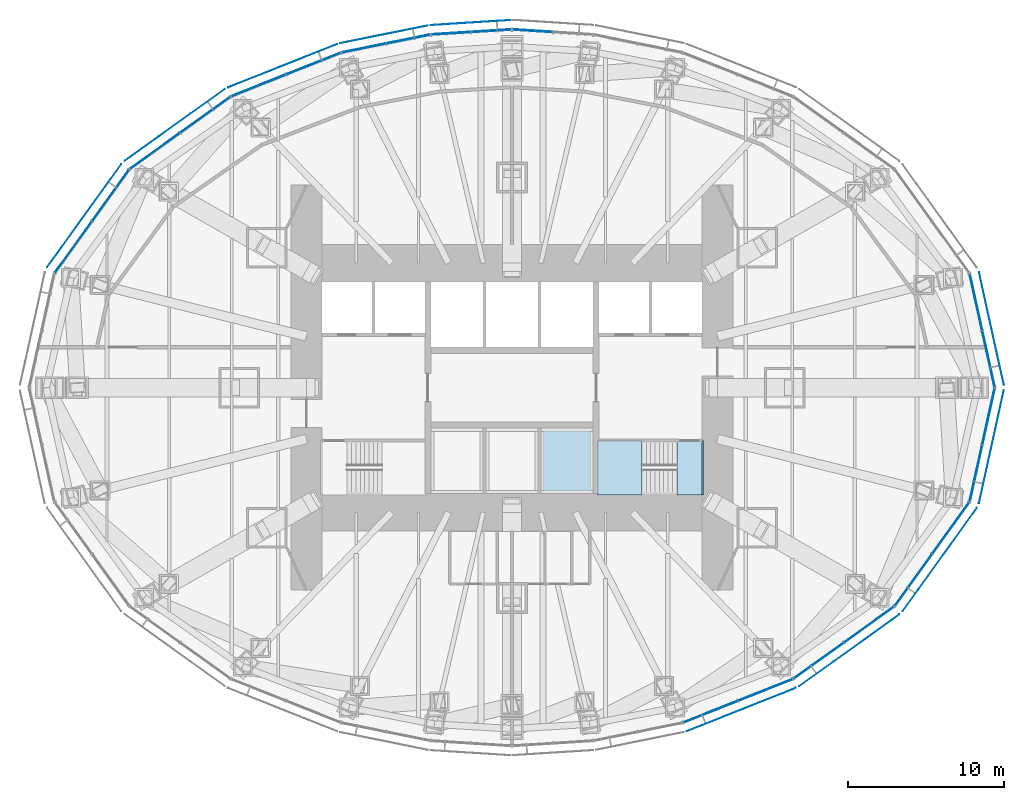
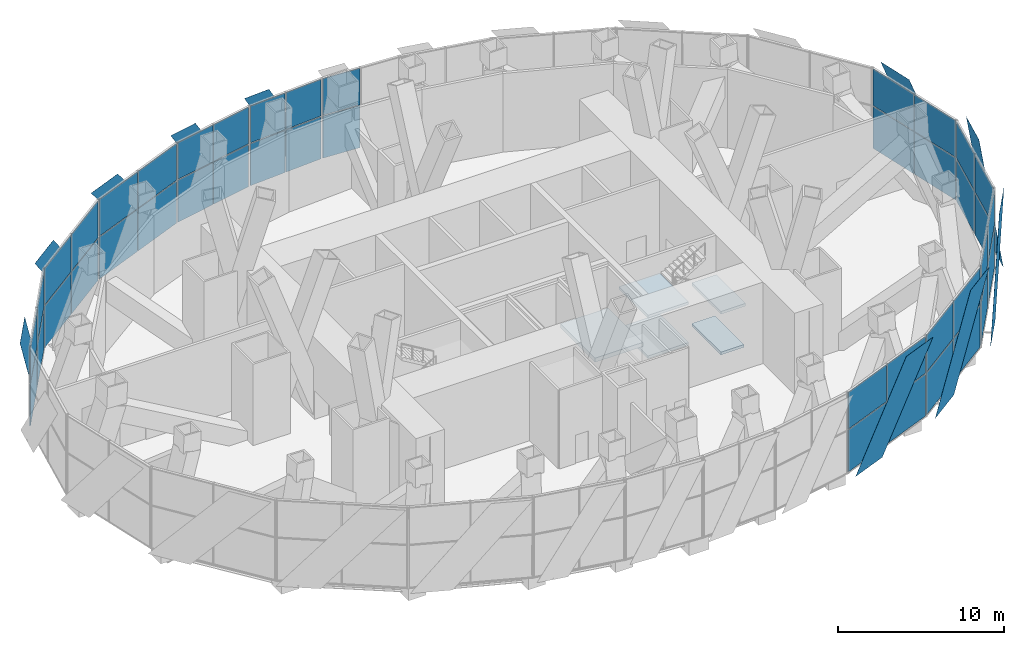
# One storey, part 13 of 21: 52 plates, 5 slabs, 12 elements without a shape of their own.
"""IFC4 building model written with IfcOpenShell, lengths in metres."""

from ifc_helpers import new_model, si_unit, direction, frame, origin, origin_2d, place, context, subcontext, project, spatial, polyline, rectangle, outline, extrude, material, layer, layer_set, type_object, element, aggregate, save


model = new_model("IFC4")

# Units and contexts
model_context = context("Model", 3, precision=1e-05, world=origin(), true_north=direction((0.0, 1.0)))
body_context = subcontext(model_context, "Body", "Model", "MODEL_VIEW")
ifc_project = project(units=[si_unit("LENGTHUNIT", "METRE"), si_unit("AREAUNIT", "SQUARE_METRE"), si_unit("VOLUMEUNIT", "CUBIC_METRE"), si_unit("PLANEANGLEUNIT", "RADIAN"), si_unit("MASSUNIT", "GRAM", prefix="KILO")], contexts=[model_context])

# Site, building, storey
site_placement = place(None, origin())
site = spatial("IfcSite", under=ifc_project, at=site_placement, CompositionType="ELEMENT")
building_placement = place(site_placement, origin())
building = spatial("IfcBuilding", under=site, at=building_placement, Name="Lantaw Convention Tower", CompositionType="ELEMENT")
storey_placement = place(building_placement, frame((0.0, 0.0, 105.39990234375)))
storey = spatial("IfcBuildingStorey", under=building, at=storey_placement, Name="L25", CompositionType="ELEMENT", Elevation=105.39990234375)

# Curtain wall, plates
ifc_material_1 = material(Name="Aluminium framed curtain wall", Category="aluminium")
curtain_wall_type = type_object("IfcCurtainWallType", Name="Plant floor louvre wall, pale aluminium", PredefinedType="USERDEFINED", material=ifc_material_1)
curtain_wall_1_placement = place(storey_placement, origin())
curtain_wall_1 = element("IfcCurtainWall", 1, at=curtain_wall_1_placement, inside=storey, type_object=curtain_wall_type, Name="Plant floor louvre wall, pale aluminium L25", ObjectType="LOUVRE WALL", PredefinedType="USERDEFINED")
ifc_material_2 = material(Name="Aluminium louvre blades", Category="aluminium")
ifc_layer_1 = layer(ifc_material_2, 0.050048828125)
ifc_layer_set_1 = layer_set([ifc_layer_1], Name="CW-LV panel 50")
plate_type_1 = type_object("IfcPlateType", Name="CW-LV panel 50", PredefinedType="CURTAIN_PANEL", material=ifc_layer_set_1)
plate_1_placement = place(storey_placement, frame((30.592529296875, 1.8486328125, -0.1298828125), z_axis=(0.0, 0.0, 1.0), x_axis=(-0.215246056391, 0.976559847223, 0.0)))
plate_1 = element("IfcPlate", 2, at=plate_1_placement, type_object=plate_type_1, Name="CW-LV panel 1.1", PredefinedType="CURTAIN_PANEL", context=body_context, shape_type="SweptSolid", body=[
    extrude(rectangle(XDim=3.646240234375, YDim=0.050048828125, at=origin_2d()), origin(), (0.0, 0.0, 1.0), 3.094970703125),
])
plate_2_placement = place(storey_placement, frame((30.592529296875, 1.8486328125, 3.03515625), z_axis=(0.0, 0.0, 1.0), x_axis=(-0.215246056391, 0.976559847223, 0.0)))
plate_2 = element("IfcPlate", 3, at=plate_2_placement, type_object=plate_type_1, Name="CW-LV panel 1.2", PredefinedType="CURTAIN_PANEL", context=body_context, shape_type="SweptSolid", body=[
    extrude(rectangle(XDim=3.646240234375, YDim=0.050048828125, at=origin_2d()), origin(), (0.0, 0.0, 1.0), 2.695068359375),
])
plate_3_placement = place(storey_placement, frame((29.792724609375, 5.477783203125, -0.1298828125), z_axis=(0.0, 0.0, 1.0), x_axis=(-0.215246056391, 0.976559847223, 0.0)))
plate_3 = element("IfcPlate", 4, at=plate_3_placement, type_object=plate_type_1, Name="CW-LV panel 2.1", PredefinedType="CURTAIN_PANEL", context=body_context, shape_type="SweptSolid", body=[
    extrude(rectangle(XDim=3.646240234375, YDim=0.050048828125, at=origin_2d()), origin(), (0.0, 0.0, 1.0), 3.094970703125),
])
plate_4_placement = place(storey_placement, frame((29.792724609375, 5.477783203125, 3.03515625), z_axis=(0.0, 0.0, 1.0), x_axis=(-0.215246056391, 0.976559847223, 0.0)))
plate_4 = element("IfcPlate", 5, at=plate_4_placement, type_object=plate_type_1, Name="CW-LV panel 2.2", PredefinedType="CURTAIN_PANEL", context=body_context, shape_type="SweptSolid", body=[
    extrude(rectangle(XDim=3.646240234375, YDim=0.050048828125, at=origin_2d()), origin(), (0.0, 0.0, 1.0), 2.695068359375),
])
aggregate(curtain_wall_1, [plate_1, plate_2, plate_3, plate_4])

curtain_wall_2_placement = place(storey_placement, origin())
curtain_wall_2 = element("IfcCurtainWall", 6, at=curtain_wall_2_placement, inside=storey, type_object=curtain_wall_type, Name="Plant floor louvre wall, pale aluminium L25", ObjectType="LOUVRE WALL", PredefinedType="USERDEFINED")
plate_5_placement = place(storey_placement, frame((1.325927734375, 22.916259765625, -0.1298828125), z_axis=(0.0, 0.0, 1.0), x_axis=(-0.998016153807, 0.062958373078, 0.0)))
plate_5 = element("IfcPlate", 7, at=plate_5_placement, type_object=plate_type_1, Name="CW-LV panel 2.1", PredefinedType="CURTAIN_PANEL", context=body_context, shape_type="SweptSolid", body=[
    extrude(rectangle(XDim=2.51708984375, YDim=0.050048828125, at=origin_2d()), origin(), (0.0, 0.0, 1.0), 3.094970703125),
])
plate_6_placement = place(storey_placement, frame((1.325927734375, 22.916259765625, 3.03515625), z_axis=(0.0, 0.0, 1.0), x_axis=(-0.998016153807, 0.062958373078, 0.0)))
plate_6 = element("IfcPlate", 8, at=plate_6_placement, type_object=plate_type_1, Name="CW-LV panel 2.2", PredefinedType="CURTAIN_PANEL", context=body_context, shape_type="SweptSolid", body=[
    extrude(rectangle(XDim=2.51708984375, YDim=0.050048828125, at=origin_2d()), origin(), (0.0, 0.0, 1.0), 2.695068359375),
])
aggregate(curtain_wall_2, [plate_5, plate_6])

curtain_wall_3_placement = place(storey_placement, origin())
curtain_wall_3 = element("IfcCurtainWall", 9, at=curtain_wall_3_placement, inside=storey, type_object=curtain_wall_type, Name="Plant floor louvre wall, pale aluminium L25", ObjectType="LOUVRE WALL", PredefinedType="USERDEFINED")
plate_7_placement = place(storey_placement, frame((-1.325927734375, 22.916259765625, -0.1298828125), z_axis=(0.0, 0.0, 1.0), x_axis=(-0.998016153807, -0.062958373078, 0.0)))
plate_7 = element("IfcPlate", 10, at=plate_7_placement, type_object=plate_type_1, Name="CW-LV panel 1.1", PredefinedType="CURTAIN_PANEL", context=body_context, shape_type="SweptSolid", body=[
    extrude(rectangle(XDim=2.51708984375, YDim=0.050048828125, at=origin_2d()), origin(), (0.0, 0.0, 1.0), 3.094970703125),
])
plate_8_placement = place(storey_placement, frame((-1.325927734375, 22.916259765625, 3.03515625), z_axis=(0.0, 0.0, 1.0), x_axis=(-0.998016153807, -0.062958373078, 0.0)))
plate_8 = element("IfcPlate", 11, at=plate_8_placement, type_object=plate_type_1, Name="CW-LV panel 1.2", PredefinedType="CURTAIN_PANEL", context=body_context, shape_type="SweptSolid", body=[
    extrude(rectangle(XDim=2.51708984375, YDim=0.050048828125, at=origin_2d()), origin(), (0.0, 0.0, 1.0), 2.695068359375),
])
plate_9_placement = place(storey_placement, frame((-3.907958984375, 22.75341796875, -0.1298828125), z_axis=(0.0, 0.0, 1.0), x_axis=(-0.998016153807, -0.062958373078, 0.0)))
plate_9 = element("IfcPlate", 12, at=plate_9_placement, type_object=plate_type_1, Name="CW-LV panel 2.1", PredefinedType="CURTAIN_PANEL", context=body_context, shape_type="SweptSolid", body=[
    extrude(rectangle(XDim=2.51708984375, YDim=0.050048828125, at=origin_2d()), origin(), (0.0, 0.0, 1.0), 3.094970703125),
])
plate_10_placement = place(storey_placement, frame((-3.907958984375, 22.75341796875, 3.03515625), z_axis=(0.0, 0.0, 1.0), x_axis=(-0.998016153807, -0.062958373078, 0.0)))
plate_10 = element("IfcPlate", 13, at=plate_10_placement, type_object=plate_type_1, Name="CW-LV panel 2.2", PredefinedType="CURTAIN_PANEL", context=body_context, shape_type="SweptSolid", body=[
    extrude(rectangle(XDim=2.51708984375, YDim=0.050048828125, at=origin_2d()), origin(), (0.0, 0.0, 1.0), 2.695068359375),
])
aggregate(curtain_wall_3, [plate_7, plate_8, plate_9, plate_10])

curtain_wall_4_placement = place(storey_placement, origin())
curtain_wall_4 = element("IfcCurtainWall", 14, at=curtain_wall_4_placement, inside=storey, type_object=curtain_wall_type, Name="Plant floor louvre wall, pale aluminium L25", ObjectType="LOUVRE WALL", PredefinedType="USERDEFINED")
plate_11_placement = place(storey_placement, frame((-6.682861328125, 22.37744140625, -0.1298828125), z_axis=(0.0, 0.0, 1.0), x_axis=(-0.980244604501, -0.197789067813, 0.0)))
plate_11 = element("IfcPlate", 15, at=plate_11_placement, type_object=plate_type_1, Name="CW-LV panel 1.1", PredefinedType="CURTAIN_PANEL", context=body_context, shape_type="SweptSolid", body=[
    extrude(rectangle(XDim=2.81689453125, YDim=0.050048828125, at=origin_2d()), origin(), (0.0, 0.0, 1.0), 3.094970703125),
])
plate_12_placement = place(storey_placement, frame((-6.682861328125, 22.37744140625, 3.03515625), z_axis=(0.0, 0.0, 1.0), x_axis=(-0.980244604501, -0.197789067813, 0.0)))
plate_12 = element("IfcPlate", 16, at=plate_12_placement, type_object=plate_type_1, Name="CW-LV panel 1.2", PredefinedType="CURTAIN_PANEL", context=body_context, shape_type="SweptSolid", body=[
    extrude(rectangle(XDim=2.81689453125, YDim=0.050048828125, at=origin_2d()), origin(), (0.0, 0.0, 1.0), 2.695068359375),
])
plate_13_placement = place(storey_placement, frame((-9.5126953125, 21.806396484375, -0.1298828125), z_axis=(0.0, 0.0, 1.0), x_axis=(-0.980244604501, -0.197789067813, 0.0)))
plate_13 = element("IfcPlate", 17, at=plate_13_placement, type_object=plate_type_1, Name="CW-LV panel 2.1", PredefinedType="CURTAIN_PANEL", context=body_context, shape_type="SweptSolid", body=[
    extrude(rectangle(XDim=2.81689453125, YDim=0.050048828125, at=origin_2d()), origin(), (0.0, 0.0, 1.0), 3.094970703125),
])
plate_14_placement = place(storey_placement, frame((-9.5126953125, 21.806396484375, 3.03515625), z_axis=(0.0, 0.0, 1.0), x_axis=(-0.980244604501, -0.197789067813, 0.0)))
plate_14 = element("IfcPlate", 18, at=plate_14_placement, type_object=plate_type_1, Name="CW-LV panel 2.2", PredefinedType="CURTAIN_PANEL", context=body_context, shape_type="SweptSolid", body=[
    extrude(rectangle(XDim=2.81689453125, YDim=0.050048828125, at=origin_2d()), origin(), (0.0, 0.0, 1.0), 2.695068359375),
])
aggregate(curtain_wall_4, [plate_11, plate_12, plate_13, plate_14])

curtain_wall_5_placement = place(storey_placement, origin())
curtain_wall_5 = element("IfcCurtainWall", 19, at=curtain_wall_5_placement, inside=storey, type_object=curtain_wall_type, Name="Plant floor louvre wall, pale aluminium L25", ObjectType="LOUVRE WALL", PredefinedType="USERDEFINED")
plate_15_placement = place(storey_placement, frame((-12.75146484375, 20.80322265625, -0.1298828125), z_axis=(0.0, 0.0, 1.0), x_axis=(-0.929361152748, -0.369171840425, 0.0)))
plate_15 = element("IfcPlate", 20, at=plate_15_placement, type_object=plate_type_1, Name="CW-LV panel 1.1", PredefinedType="CURTAIN_PANEL", context=body_context, shape_type="SweptSolid", body=[
    extrude(rectangle(XDim=3.711181640625, YDim=0.050048828125, at=origin_2d()), origin(), (0.0, 0.0, 1.0), 3.094970703125),
])
plate_16_placement = place(storey_placement, frame((-12.75146484375, 20.80322265625, 3.03515625), z_axis=(0.0, 0.0, 1.0), x_axis=(-0.929361152748, -0.369171840425, 0.0)))
plate_16 = element("IfcPlate", 21, at=plate_16_placement, type_object=plate_type_1, Name="CW-LV panel 1.2", PredefinedType="CURTAIN_PANEL", context=body_context, shape_type="SweptSolid", body=[
    extrude(rectangle(XDim=3.711181640625, YDim=0.050048828125, at=origin_2d()), origin(), (0.0, 0.0, 1.0), 2.695068359375),
])
plate_17_placement = place(storey_placement, frame((-16.265380859375, 19.4072265625, -0.1298828125), z_axis=(0.0, 0.0, 1.0), x_axis=(-0.929361152748, -0.369171840425, 0.0)))
plate_17 = element("IfcPlate", 22, at=plate_17_placement, type_object=plate_type_1, Name="CW-LV panel 2.1", PredefinedType="CURTAIN_PANEL", context=body_context, shape_type="SweptSolid", body=[
    extrude(rectangle(XDim=3.711181640625, YDim=0.050048828125, at=origin_2d()), origin(), (0.0, 0.0, 1.0), 3.094970703125),
])
plate_18_placement = place(storey_placement, frame((-16.265380859375, 19.4072265625, 3.03515625), z_axis=(0.0, 0.0, 1.0), x_axis=(-0.929361152748, -0.369171840425, 0.0)))
plate_18 = element("IfcPlate", 23, at=plate_18_placement, type_object=plate_type_1, Name="CW-LV panel 2.2", PredefinedType="CURTAIN_PANEL", context=body_context, shape_type="SweptSolid", body=[
    extrude(rectangle(XDim=3.711181640625, YDim=0.050048828125, at=origin_2d()), origin(), (0.0, 0.0, 1.0), 2.695068359375),
])
aggregate(curtain_wall_5, [plate_15, plate_16, plate_17, plate_18])

curtain_wall_6_placement = place(storey_placement, origin())
curtain_wall_6 = element("IfcCurtainWall", 24, at=curtain_wall_6_placement, inside=storey, type_object=curtain_wall_type, Name="Plant floor louvre wall, pale aluminium L25", ObjectType="LOUVRE WALL", PredefinedType="USERDEFINED")
plate_19_placement = place(storey_placement, frame((-19.695556640625, 17.520751953125, -0.1298828125), z_axis=(0.0, 0.0, 1.0), x_axis=(-0.812803733199, -0.5825376308, 0.0)))
plate_19 = element("IfcPlate", 25, at=plate_19_placement, type_object=plate_type_1, Name="CW-LV panel 1.1", PredefinedType="CURTAIN_PANEL", context=body_context, shape_type="SweptSolid", body=[
    extrude(rectangle(XDim=3.896484375, YDim=0.050048828125, at=origin_2d()), origin(), (0.0, 0.0, 1.0), 3.094970703125),
])
plate_20_placement = place(storey_placement, frame((-19.695556640625, 17.520751953125, 3.03515625), z_axis=(0.0, 0.0, 1.0), x_axis=(-0.812803733199, -0.5825376308, 0.0)))
plate_20 = element("IfcPlate", 26, at=plate_20_placement, type_object=plate_type_1, Name="CW-LV panel 1.2", PredefinedType="CURTAIN_PANEL", context=body_context, shape_type="SweptSolid", body=[
    extrude(rectangle(XDim=3.896484375, YDim=0.050048828125, at=origin_2d()), origin(), (0.0, 0.0, 1.0), 2.695068359375),
])
plate_21_placement = place(storey_placement, frame((-22.91943359375, 15.2099609375, -0.1298828125), z_axis=(0.0, 0.0, 1.0), x_axis=(-0.812803733199, -0.5825376308, 0.0)))
plate_21 = element("IfcPlate", 27, at=plate_21_placement, type_object=plate_type_1, Name="CW-LV panel 2.1", PredefinedType="CURTAIN_PANEL", context=body_context, shape_type="SweptSolid", body=[
    extrude(rectangle(XDim=3.896484375, YDim=0.050048828125, at=origin_2d()), origin(), (0.0, 0.0, 1.0), 3.094970703125),
])
plate_22_placement = place(storey_placement, frame((-22.91943359375, 15.2099609375, 3.03515625), z_axis=(0.0, 0.0, 1.0), x_axis=(-0.812803733199, -0.5825376308, 0.0)))
plate_22 = element("IfcPlate", 28, at=plate_22_placement, type_object=plate_type_1, Name="CW-LV panel 2.2", PredefinedType="CURTAIN_PANEL", context=body_context, shape_type="SweptSolid", body=[
    extrude(rectangle(XDim=3.896484375, YDim=0.050048828125, at=origin_2d()), origin(), (0.0, 0.0, 1.0), 2.695068359375),
])
aggregate(curtain_wall_6, [plate_19, plate_20, plate_21, plate_22])

curtain_wall_7_placement = place(storey_placement, origin())
curtain_wall_7 = element("IfcCurtainWall", 29, at=curtain_wall_7_placement, inside=storey, type_object=curtain_wall_type, Name="Plant floor louvre wall, pale aluminium L25", ObjectType="LOUVRE WALL", PredefinedType="USERDEFINED")
plate_23_placement = place(storey_placement, frame((-25.776611328125, 12.34326171875, -0.1298828125), z_axis=(0.0, 0.0, 1.0), x_axis=(-0.583951250436, -0.811788726895, 0.0)))
plate_23 = element("IfcPlate", 30, at=plate_23_placement, type_object=plate_type_1, Name="CW-LV panel 1.1", PredefinedType="CURTAIN_PANEL", context=body_context, shape_type="SweptSolid", body=[
    extrude(rectangle(XDim=4.0263671875, YDim=0.050048828125, at=origin_2d()), origin(), (0.0, 0.0, 1.0), 3.094970703125),
])
plate_24_placement = place(storey_placement, frame((-25.776611328125, 12.34326171875, 3.03515625), z_axis=(0.0, 0.0, 1.0), x_axis=(-0.583951250436, -0.811788726895, 0.0)))
plate_24 = element("IfcPlate", 31, at=plate_24_placement, type_object=plate_type_1, Name="CW-LV panel 1.2", PredefinedType="CURTAIN_PANEL", context=body_context, shape_type="SweptSolid", body=[
    extrude(rectangle(XDim=4.0263671875, YDim=0.050048828125, at=origin_2d()), origin(), (0.0, 0.0, 1.0), 2.695068359375),
])
plate_25_placement = place(storey_placement, frame((-28.168701171875, 9.017578125, -0.1298828125), z_axis=(0.0, 0.0, 1.0), x_axis=(-0.583951250436, -0.811788726895, 0.0)))
plate_25 = element("IfcPlate", 32, at=plate_25_placement, type_object=plate_type_1, Name="CW-LV panel 2.1", PredefinedType="CURTAIN_PANEL", context=body_context, shape_type="SweptSolid", body=[
    extrude(rectangle(XDim=4.0263671875, YDim=0.050048828125, at=origin_2d()), origin(), (0.0, 0.0, 1.0), 3.094970703125),
])
plate_26_placement = place(storey_placement, frame((-28.168701171875, 9.017578125, 3.03515625), z_axis=(0.0, 0.0, 1.0), x_axis=(-0.583951250436, -0.811788726895, 0.0)))
plate_26 = element("IfcPlate", 33, at=plate_26_placement, type_object=plate_type_1, Name="CW-LV panel 2.2", PredefinedType="CURTAIN_PANEL", context=body_context, shape_type="SweptSolid", body=[
    extrude(rectangle(XDim=4.0263671875, YDim=0.050048828125, at=origin_2d()), origin(), (0.0, 0.0, 1.0), 2.695068359375),
])
aggregate(curtain_wall_7, [plate_23, plate_24, plate_25, plate_26])

curtain_wall_8_placement = place(storey_placement, origin())
curtain_wall_8 = element("IfcCurtainWall", 34, at=curtain_wall_8_placement, inside=storey, type_object=curtain_wall_type, Name="Plant floor louvre wall, pale aluminium L25", ObjectType="LOUVRE WALL", PredefinedType="USERDEFINED")
plate_27_placement = place(storey_placement, frame((12.75146484375, -20.80322265625, -0.1298828125), z_axis=(0.0, 0.0, 1.0), x_axis=(0.929361152748, 0.369171840425, 0.0)))
plate_27 = element("IfcPlate", 35, at=plate_27_placement, type_object=plate_type_1, Name="CW-LV panel 1.1", PredefinedType="CURTAIN_PANEL", context=body_context, shape_type="SweptSolid", body=[
    extrude(rectangle(XDim=3.711181640625, YDim=0.050048828125, at=origin_2d()), origin(), (0.0, 0.0, 1.0), 3.094970703125),
])
plate_28_placement = place(storey_placement, frame((12.75146484375, -20.80322265625, 3.03515625), z_axis=(0.0, 0.0, 1.0), x_axis=(0.929361152748, 0.369171840425, 0.0)))
plate_28 = element("IfcPlate", 36, at=plate_28_placement, type_object=plate_type_1, Name="CW-LV panel 1.2", PredefinedType="CURTAIN_PANEL", context=body_context, shape_type="SweptSolid", body=[
    extrude(rectangle(XDim=3.711181640625, YDim=0.050048828125, at=origin_2d()), origin(), (0.0, 0.0, 1.0), 2.695068359375),
])
plate_29_placement = place(storey_placement, frame((16.265380859375, -19.4072265625, -0.1298828125), z_axis=(0.0, 0.0, 1.0), x_axis=(0.929361152748, 0.369171840425, 0.0)))
plate_29 = element("IfcPlate", 37, at=plate_29_placement, type_object=plate_type_1, Name="CW-LV panel 2.1", PredefinedType="CURTAIN_PANEL", context=body_context, shape_type="SweptSolid", body=[
    extrude(rectangle(XDim=3.711181640625, YDim=0.050048828125, at=origin_2d()), origin(), (0.0, 0.0, 1.0), 3.094970703125),
])
plate_30_placement = place(storey_placement, frame((16.265380859375, -19.4072265625, 3.03515625), z_axis=(0.0, 0.0, 1.0), x_axis=(0.929361152748, 0.369171840425, 0.0)))
plate_30 = element("IfcPlate", 38, at=plate_30_placement, type_object=plate_type_1, Name="CW-LV panel 2.2", PredefinedType="CURTAIN_PANEL", context=body_context, shape_type="SweptSolid", body=[
    extrude(rectangle(XDim=3.711181640625, YDim=0.050048828125, at=origin_2d()), origin(), (0.0, 0.0, 1.0), 2.695068359375),
])
aggregate(curtain_wall_8, [plate_27, plate_28, plate_29, plate_30])

curtain_wall_9_placement = place(storey_placement, origin())
curtain_wall_9 = element("IfcCurtainWall", 39, at=curtain_wall_9_placement, inside=storey, type_object=curtain_wall_type, Name="Plant floor louvre wall, pale aluminium L25", ObjectType="LOUVRE WALL", PredefinedType="USERDEFINED")
plate_31_placement = place(storey_placement, frame((19.695556640625, -17.520751953125, -0.1298828125), z_axis=(0.0, 0.0, 1.0), x_axis=(0.812803733199, 0.5825376308, 0.0)))
plate_31 = element("IfcPlate", 40, at=plate_31_placement, type_object=plate_type_1, Name="CW-LV panel 1.1", PredefinedType="CURTAIN_PANEL", context=body_context, shape_type="SweptSolid", body=[
    extrude(rectangle(XDim=3.896484375, YDim=0.050048828125, at=origin_2d()), origin(), (0.0, 0.0, 1.0), 3.094970703125),
])
plate_32_placement = place(storey_placement, frame((19.695556640625, -17.520751953125, 3.03515625), z_axis=(0.0, 0.0, 1.0), x_axis=(0.812803733199, 0.5825376308, 0.0)))
plate_32 = element("IfcPlate", 41, at=plate_32_placement, type_object=plate_type_1, Name="CW-LV panel 1.2", PredefinedType="CURTAIN_PANEL", context=body_context, shape_type="SweptSolid", body=[
    extrude(rectangle(XDim=3.896484375, YDim=0.050048828125, at=origin_2d()), origin(), (0.0, 0.0, 1.0), 2.695068359375),
])
plate_33_placement = place(storey_placement, frame((22.91943359375, -15.2099609375, -0.1298828125), z_axis=(0.0, 0.0, 1.0), x_axis=(0.812803733199, 0.5825376308, 0.0)))
plate_33 = element("IfcPlate", 42, at=plate_33_placement, type_object=plate_type_1, Name="CW-LV panel 2.1", PredefinedType="CURTAIN_PANEL", context=body_context, shape_type="SweptSolid", body=[
    extrude(rectangle(XDim=3.896484375, YDim=0.050048828125, at=origin_2d()), origin(), (0.0, 0.0, 1.0), 3.094970703125),
])
plate_34_placement = place(storey_placement, frame((22.91943359375, -15.2099609375, 3.03515625), z_axis=(0.0, 0.0, 1.0), x_axis=(0.812803733199, 0.5825376308, 0.0)))
plate_34 = element("IfcPlate", 43, at=plate_34_placement, type_object=plate_type_1, Name="CW-LV panel 2.2", PredefinedType="CURTAIN_PANEL", context=body_context, shape_type="SweptSolid", body=[
    extrude(rectangle(XDim=3.896484375, YDim=0.050048828125, at=origin_2d()), origin(), (0.0, 0.0, 1.0), 2.695068359375),
])
aggregate(curtain_wall_9, [plate_31, plate_32, plate_33, plate_34])

curtain_wall_10_placement = place(storey_placement, origin())
curtain_wall_10 = element("IfcCurtainWall", 44, at=curtain_wall_10_placement, inside=storey, type_object=curtain_wall_type, Name="Plant floor louvre wall, pale aluminium L25", ObjectType="LOUVRE WALL", PredefinedType="USERDEFINED")
plate_35_placement = place(storey_placement, frame((25.776611328125, -12.34326171875, -0.1298828125), z_axis=(0.0, 0.0, 1.0), x_axis=(0.583951250436, 0.811788726895, 0.0)))
plate_35 = element("IfcPlate", 45, at=plate_35_placement, type_object=plate_type_1, Name="CW-LV panel 1.1", PredefinedType="CURTAIN_PANEL", context=body_context, shape_type="SweptSolid", body=[
    extrude(rectangle(XDim=4.0263671875, YDim=0.050048828125, at=origin_2d()), origin(), (0.0, 0.0, 1.0), 3.094970703125),
])
plate_36_placement = place(storey_placement, frame((25.776611328125, -12.34326171875, 3.03515625), z_axis=(0.0, 0.0, 1.0), x_axis=(0.583951250436, 0.811788726895, 0.0)))
plate_36 = element("IfcPlate", 46, at=plate_36_placement, type_object=plate_type_1, Name="CW-LV panel 1.2", PredefinedType="CURTAIN_PANEL", context=body_context, shape_type="SweptSolid", body=[
    extrude(rectangle(XDim=4.0263671875, YDim=0.050048828125, at=origin_2d()), origin(), (0.0, 0.0, 1.0), 2.695068359375),
])
plate_37_placement = place(storey_placement, frame((28.168701171875, -9.017578125, -0.1298828125), z_axis=(0.0, 0.0, 1.0), x_axis=(0.583951250436, 0.811788726895, 0.0)))
plate_37 = element("IfcPlate", 47, at=plate_37_placement, type_object=plate_type_1, Name="CW-LV panel 2.1", PredefinedType="CURTAIN_PANEL", context=body_context, shape_type="SweptSolid", body=[
    extrude(rectangle(XDim=4.0263671875, YDim=0.050048828125, at=origin_2d()), origin(), (0.0, 0.0, 1.0), 3.094970703125),
])
plate_38_placement = place(storey_placement, frame((28.168701171875, -9.017578125, 3.03515625), z_axis=(0.0, 0.0, 1.0), x_axis=(0.583951250436, 0.811788726895, 0.0)))
plate_38 = element("IfcPlate", 48, at=plate_38_placement, type_object=plate_type_1, Name="CW-LV panel 2.2", PredefinedType="CURTAIN_PANEL", context=body_context, shape_type="SweptSolid", body=[
    extrude(rectangle(XDim=4.0263671875, YDim=0.050048828125, at=origin_2d()), origin(), (0.0, 0.0, 1.0), 2.695068359375),
])
aggregate(curtain_wall_10, [plate_35, plate_36, plate_37, plate_38])

curtain_wall_11_placement = place(storey_placement, origin())
curtain_wall_11 = element("IfcCurtainWall", 49, at=curtain_wall_11_placement, inside=storey, type_object=curtain_wall_type, Name="Plant floor louvre wall, pale aluminium L25", ObjectType="LOUVRE WALL", PredefinedType="USERDEFINED")
plate_39_placement = place(storey_placement, frame((29.792724609375, -5.477783203125, -0.1298828125), z_axis=(0.0, 0.0, 1.0), x_axis=(0.215246056391, 0.976559847223, 0.0)))
plate_39 = element("IfcPlate", 50, at=plate_39_placement, type_object=plate_type_1, Name="CW-LV panel 1.1", PredefinedType="CURTAIN_PANEL", context=body_context, shape_type="SweptSolid", body=[
    extrude(rectangle(XDim=3.646240234375, YDim=0.050048828125, at=origin_2d()), origin(), (0.0, 0.0, 1.0), 3.094970703125),
])
plate_40_placement = place(storey_placement, frame((29.792724609375, -5.477783203125, 3.03515625), z_axis=(0.0, 0.0, 1.0), x_axis=(0.215246056391, 0.976559847223, 0.0)))
plate_40 = element("IfcPlate", 51, at=plate_40_placement, type_object=plate_type_1, Name="CW-LV panel 1.2", PredefinedType="CURTAIN_PANEL", context=body_context, shape_type="SweptSolid", body=[
    extrude(rectangle(XDim=3.646240234375, YDim=0.050048828125, at=origin_2d()), origin(), (0.0, 0.0, 1.0), 2.695068359375),
])
plate_41_placement = place(storey_placement, frame((30.592529296875, -1.8486328125, -0.1298828125), z_axis=(0.0, 0.0, 1.0), x_axis=(0.215246056391, 0.976559847223, 0.0)))
plate_41 = element("IfcPlate", 52, at=plate_41_placement, type_object=plate_type_1, Name="CW-LV panel 2.1", PredefinedType="CURTAIN_PANEL", context=body_context, shape_type="SweptSolid", body=[
    extrude(rectangle(XDim=3.646240234375, YDim=0.050048828125, at=origin_2d()), origin(), (0.0, 0.0, 1.0), 3.094970703125),
])
plate_42_placement = place(storey_placement, frame((30.592529296875, -1.8486328125, 3.03515625), z_axis=(0.0, 0.0, 1.0), x_axis=(0.215246056391, 0.976559847223, 0.0)))
plate_42 = element("IfcPlate", 53, at=plate_42_placement, type_object=plate_type_1, Name="CW-LV panel 2.2", PredefinedType="CURTAIN_PANEL", context=body_context, shape_type="SweptSolid", body=[
    extrude(rectangle(XDim=3.646240234375, YDim=0.050048828125, at=origin_2d()), origin(), (0.0, 0.0, 1.0), 2.695068359375),
])
aggregate(curtain_wall_11, [plate_39, plate_40, plate_41, plate_42])

# Slab
ifc_material_3 = material(Name="Concrete C40/50", Category="concrete")
ifc_layer_2 = layer(ifc_material_3, 0.300048828125)
ifc_layer_set_2 = layer_set([ifc_layer_2], Name="Lift pit slab 300")
slab_type_1 = type_object("IfcSlabType", Name="Lift pit slab 300", PredefinedType="BASESLAB", material=ifc_layer_set_2)
slab_1_placement = place(storey_placement, frame((0.0, 0.0, 2.25)))
element("IfcSlab", 54, at=slab_1_placement, inside=storey, type_object=slab_type_1, Name="Lift pit S3", PredefinedType="BASESLAB", context=body_context, shape_type="SweptSolid", body=[
    extrude(outline(polyline([(1.86669921875, -6.800048828125), (5.199951171875, -6.800048828125), (5.199951171875, -2.60009765625), (1.86669921875, -2.60009765625), (1.86669921875, -6.800048828125)])), origin(), (0.0, 0.0, 1.0), 0.300048828125),
])

# Plates
ifc_material_4 = material(Name="Perforated aluminium sheet, pale silver finish", Category="aluminium")
ifc_layer_3 = layer(ifc_material_4, 0.006103515625)
ifc_layer_set_3 = layer_set([ifc_layer_3], Name="Perforated aluminium solar SCREEN panel")
plate_type_2 = type_object("IfcPlateType", Name="Perforated aluminium solar SCREEN panel", PredefinedType="SHEET", material=ifc_layer_set_3)
plate_43_placement = place(storey_placement, frame((31.5810546875, 0.17919921875, -0.199951171875), z_axis=(-0.976559435862, -0.215247921914, 1.8452861e-05), x_axis=(-0.215247921951, 0.976559436028, 1.9e-10)))
element("IfcPlate", 55, at=plate_43_placement, inside=storey, type_object=plate_type_2, Name="Solar SCREEN panel", PredefinedType="SHEET", context=body_context, shape_type="SweptSolid", body=[
    extrude(outline(polyline([(0.0, 0.0), (2.551002212329069, 3.3881317890172014e-21), (7.402498252985418, -6.140136718388428), (4.851734458487411, -6.140136719358094), (0.0, 0.0)])), origin(), (0.0, 0.0, -1.0), 0.006103515625),
])
plate_44_placement = place(storey_placement, frame((-0.088134765625, 23.6015625, -0.199951171875), z_axis=(-0.062923905255, 0.998018327526, 8.287181e-06), x_axis=(-0.998018327561, -0.062923905257, -5.66e-10)))
element("IfcPlate", 56, at=plate_44_placement, inside=storey, type_object=plate_type_2, Name="Solar SCREEN panel", PredefinedType="SHEET", context=body_context, shape_type="SweptSolid", body=[
    extrude(outline(polyline([(0.0, 0.0), (1.7828221786562248, -1.0587911840678754e-22), (5.143985956073316, 6.14013672187389), (3.361148415135535, 6.140136719854652), (0.0, 0.0)])), origin(), (0.0, 0.0, -1.0), 0.006103515625),
])
plate_45_placement = place(storey_placement, frame((-5.402587890625, 23.25390625, -0.199951171875), z_axis=(-0.197781876198, 0.980246055562, 1.473143e-06), x_axis=(-0.980246055563, -0.197781876198, -8.9e-11)))
element("IfcPlate", 57, at=plate_45_placement, inside=storey, type_object=plate_type_2, Name="Solar SCREEN panel", PredefinedType="SHEET", context=body_context, shape_type="SweptSolid", body=[
    extrude(outline(polyline([(0.0, 0.0), (1.9867318906327642, -1.0587911840678754e-22), (5.743587244888999, 6.140136719266267), (3.7568070676653664, 6.1401367189137135), (0.0, 0.0)])), origin(), (0.0, 0.0, -1.0), 0.006103515625),
])
plate_46_placement = place(storey_placement, frame((-11.232177734375, 22.058837890625, -0.199951171875), z_axis=(-0.369183532856, 0.92935650804, 5.581413e-06), x_axis=(-0.929356508055, -0.369183532862, 0.0)))
element("IfcPlate", 58, at=plate_46_placement, inside=storey, type_object=plate_type_2, Name="Solar SCREEN panel", PredefinedType="SHEET", context=body_context, shape_type="SweptSolid", body=[
    extrude(outline(polyline([(0.0, 0.0), (2.594936467166582, 8.470329472543003e-22), (7.5321069917580825, 6.14013671884564), (4.937170524591499, 6.14013671884564), (0.0, 0.0)])), origin(), (0.0, 0.0, -1.0), 0.006103515625),
])
plate_47_placement = place(storey_placement, frame((-18.44873046875, 19.159912109375, -0.199951171875), z_axis=(0.582561422044, -0.812786681395, 9.635692e-06), x_axis=(-0.812786681433, -0.582561422071, 0.0)))
element("IfcPlate", 59, at=plate_47_placement, inside=storey, type_object=plate_type_2, Name="Solar SCREEN panel", PredefinedType="SHEET", context=body_context, shape_type="SweptSolid", body=[
    extrude(outline(polyline([(0.0, 0.0), (2.721095180812288, -1.6940658945086007e-21), (7.903118572410756, -6.140136719035047), (5.182023391598468, -6.140136719035047), (0.0, 0.0)])), origin(), (0.0, 0.0, -1.0), 0.006103515625),
])
plate_48_placement = place(storey_placement, frame((-25.0810546875, 14.34765625, -0.199951171875), z_axis=(0.811791382633, -0.583947558478, 5.493684e-06), x_axis=(-0.583947558486, -0.811791382646, 0.0)))
element("IfcPlate", 60, at=plate_48_placement, inside=storey, type_object=plate_type_2, Name="Solar SCREEN panel", PredefinedType="SHEET", context=body_context, shape_type="SweptSolid", body=[
    extrude(outline(polyline([(0.0, 0.0), (2.809541672291133, 8.470329472543003e-22), (8.163093158837512, -6.140136718842657), (5.353551486546379, -6.140136718842657), (0.0, 0.0)])), origin(), (0.0, 0.0, -1.0), 0.006103515625),
])
plate_49_placement = place(storey_placement, frame((11.232177734375, -22.058837890625, -0.199951171875), z_axis=(0.369183532856, -0.92935650804, 5.581413e-06), x_axis=(0.929356508055, 0.369183532862, 0.0)))
element("IfcPlate", 61, at=plate_49_placement, inside=storey, type_object=plate_type_2, Name="Solar SCREEN panel", PredefinedType="SHEET", context=body_context, shape_type="SweptSolid", body=[
    extrude(outline(polyline([(0.0, 0.0), (2.594936467166582, 8.470329472543003e-22), (7.5321069917580825, 6.14013671884564), (4.937170524591499, 6.14013671884564), (0.0, 0.0)])), origin(), (0.0, 0.0, -1.0), 0.006103515625),
])
plate_50_placement = place(storey_placement, frame((18.44873046875, -19.159912109375, -0.199951171875), z_axis=(-0.582561422044, 0.812786681395, 9.635692e-06), x_axis=(0.812786681433, 0.582561422071, 0.0)))
element("IfcPlate", 62, at=plate_50_placement, inside=storey, type_object=plate_type_2, Name="Solar SCREEN panel", PredefinedType="SHEET", context=body_context, shape_type="SweptSolid", body=[
    extrude(outline(polyline([(0.0, 0.0), (2.721095180812288, -1.6940658945086007e-21), (7.903118572410756, -6.140136719035047), (5.182023391598468, -6.140136719035047), (0.0, 0.0)])), origin(), (0.0, 0.0, -1.0), 0.006103515625),
])
plate_51_placement = place(storey_placement, frame((25.0810546875, -14.34765625, -0.199951171875), z_axis=(-0.811791382633, 0.583947558478, 5.493684e-06), x_axis=(0.583947558486, 0.811791382646, 0.0)))
element("IfcPlate", 63, at=plate_51_placement, inside=storey, type_object=plate_type_2, Name="Solar SCREEN panel", PredefinedType="SHEET", context=body_context, shape_type="SweptSolid", body=[
    extrude(outline(polyline([(0.0, 0.0), (2.809541672291133, 8.470329472543003e-22), (8.163093158837512, -6.140136718842657), (5.353551486546379, -6.140136718842657), (0.0, 0.0)])), origin(), (0.0, 0.0, -1.0), 0.006103515625),
])
plate_52_placement = place(storey_placement, frame((29.98779296875, -7.408203125, -0.199951171875), z_axis=(0.976559435862, -0.215247921914, 1.8452861e-05), x_axis=(0.215247921951, 0.976559436028, -1.9e-10)))
element("IfcPlate", 64, at=plate_52_placement, inside=storey, type_object=plate_type_2, Name="Solar SCREEN panel", PredefinedType="SHEET", context=body_context, shape_type="SweptSolid", body=[
    extrude(outline(polyline([(0.0, 0.0), (2.550763794498007, 1.6940658945086007e-21), (7.40249825065126, 6.140136721202469), (4.851496038322192, 6.140136720232712), (0.0, 0.0)])), origin(), (0.0, 0.0, -1.0), 0.006103515625),
])

# Stair, slabs
ifc_material_5 = material(Name="Concrete C35/45", Category="concrete")
stair_type = type_object("IfcStairType", Name="Exit stair 1500 riser 166.67 in 4 flights", PredefinedType="HALF_TURN_STAIR", material=ifc_material_5)
stair_placement = place(storey_placement, origin())
stair = element("IfcStair", 65, at=stair_placement, inside=storey, type_object=stair_type, Name="Exit stair S2 L25", PredefinedType="HALF_TURN_STAIR")
ifc_layer_4 = layer(ifc_material_5, 0.199951171875)
ifc_layer_set_4 = layer_set([ifc_layer_4], Name="Stair landing 200")
slab_type_2 = type_object("IfcSlabType", Name="Stair landing 200", PredefinedType="LANDING", material=ifc_layer_set_4)
slab_2_placement = place(storey_placement, frame((0.0, 0.0, -0.199951171875)))
slab_2 = element("IfcSlab", 66, at=slab_2_placement, type_object=slab_type_2, Name="S2 landing 1", PredefinedType="LANDING", context=body_context, shape_type="SweptSolid", body=[
    extrude(outline(polyline([(10.580078125, -6.89990234375), (12.199951171875, -6.89990234375), (12.199951171875, -3.39990234375), (10.580078125, -3.39990234375), (10.580078125, -6.89990234375)])), origin(), (0.0, 0.0, 1.0), 0.199951171875),
])
slab_3_placement = place(storey_placement, frame((0.0, 0.0, 1.300048828125)))
slab_3 = element("IfcSlab", 67, at=slab_3_placement, type_object=slab_type_2, Name="S2 landing 2", PredefinedType="LANDING", context=body_context, shape_type="SweptSolid", body=[
    extrude(outline(polyline([(5.5, -6.89990234375), (8.340087890625, -6.89990234375), (8.340087890625, -3.39990234375), (5.5, -3.39990234375), (5.5, -6.89990234375)])), origin(), (0.0, 0.0, 1.0), 0.199951171875),
])
slab_4_placement = place(storey_placement, frame((0.0, 0.0, 2.800048828125)))
slab_4 = element("IfcSlab", 68, at=slab_4_placement, type_object=slab_type_2, Name="S2 landing 3", PredefinedType="LANDING", context=body_context, shape_type="SweptSolid", body=[
    extrude(outline(polyline([(10.580078125, -6.89990234375), (12.300048828125, -6.89990234375), (12.300048828125, -3.39990234375), (10.580078125, -3.39990234375), (10.580078125, -6.89990234375)])), origin(), (0.0, 0.0, 1.0), 0.199951171875),
])
slab_5_placement = place(storey_placement, frame((0.0, 0.0, 4.300048828125)))
slab_5 = element("IfcSlab", 69, at=slab_5_placement, type_object=slab_type_2, Name="S2 landing 4", PredefinedType="LANDING", context=body_context, shape_type="SweptSolid", body=[
    extrude(outline(polyline([(5.5, -6.89990234375), (8.340087890625, -6.89990234375), (8.340087890625, -3.39990234375), (5.5, -3.39990234375), (5.5, -6.89990234375)])), origin(), (0.0, 0.0, 1.0), 0.199951171875),
])
aggregate(stair, [slab_2, slab_3, slab_4, slab_5])

save(model, "model.ifc")
